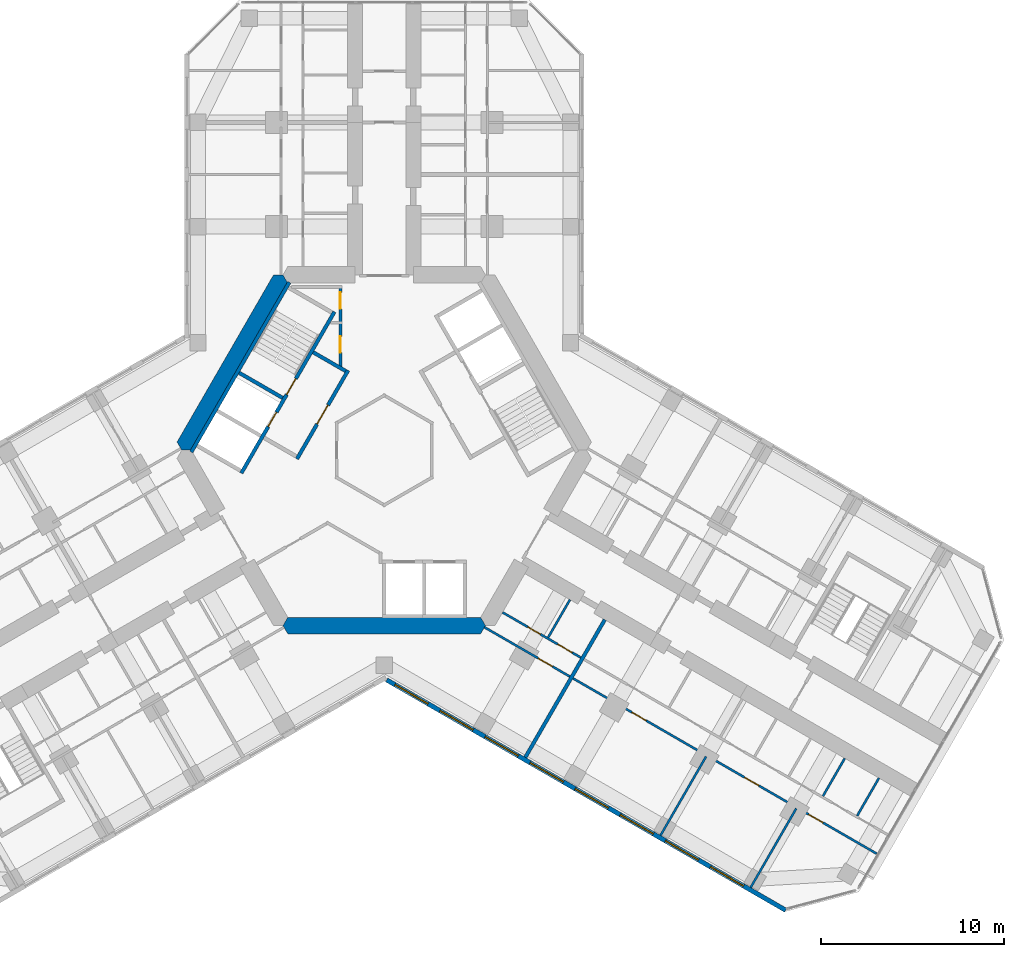
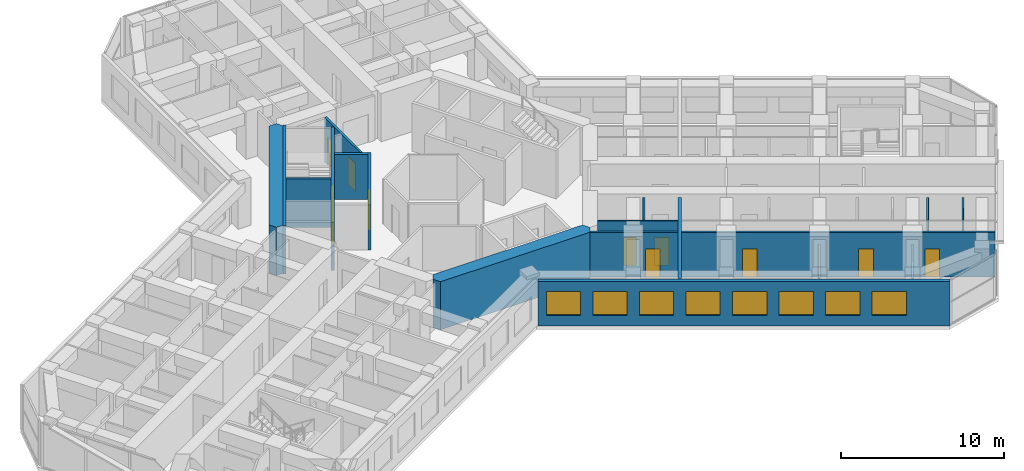
# One storey, part 13 of 19: 18 walls, 11 doors, 8 windows, 19 openings.
"""IFC4 building model written with IfcOpenShell, lengths in metres."""

from ifc_helpers import new_model, si_unit, direction, frame, frame_2d, origin, place, context, subcontext, project, spatial, polyline, rectangle, outline, extrude, material, layer, layer_set, type_object, element, fill, save


model = new_model("IFC4")

# Units and contexts
model_context = context("Model", 3, precision=1e-05, world=origin(), true_north=direction((0.0, 1.0)))
body_context = subcontext(model_context, "Body", "Model", "MODEL_VIEW")
ifc_project = project(units=[si_unit("LENGTHUNIT", "METRE"), si_unit("AREAUNIT", "SQUARE_METRE"), si_unit("VOLUMEUNIT", "CUBIC_METRE"), si_unit("PLANEANGLEUNIT", "RADIAN"), si_unit("MASSUNIT", "GRAM", prefix="KILO")], contexts=[model_context])

# Site, building, storey
site_placement = place(None, origin())
site = spatial("IfcSite", under=ifc_project, at=site_placement, CompositionType="ELEMENT")
building_placement = place(site_placement, origin())
building = spatial("IfcBuilding", under=site, at=building_placement, Name="Kosmar Iwan School Tower", CompositionType="ELEMENT")
storey_placement = place(building_placement, frame((0.0, 0.0, 149.0)))
storey = spatial("IfcBuildingStorey", under=building, at=storey_placement, Name="L37", CompositionType="ELEMENT", Elevation=149.0)

# Wall, openings, doors
ifc_material_1 = material(Name="Gypsum board on steel studs, fire-rated", Category="steel")
ifc_layer_1 = layer(ifc_material_1, 0.14990234375)
ifc_layer_set_1 = layer_set([ifc_layer_1], Name="Core room partition 150")
wall_type_1 = type_object("IfcWallType", Name="Core room partition 150", PredefinedType="PARTITIONING", material=ifc_layer_set_1)
wall_1_placement = place(storey_placement, frame((-2.39990234375, 9.014892578125, 0.0), z_axis=(0.0, 0.0, 1.0), x_axis=(0.0, -1.0, 0.0)))
wall_1 = element("IfcWall", 1, at=wall_1_placement, inside=storey, type_object=wall_type_1, Name="Core room partition L37-CW1", PredefinedType="PARTITIONING", context=body_context, shape_type="SweptSolid", body=[
    extrude(rectangle(XDim=4.484130859375, YDim=0.14990234375, at=frame_2d((2.2421875, 0.0))), origin(), (0.0, 0.0, 1.0), 3.35009765625),
])
opening_1_placement = place(wall_1_placement, frame((0.375, 0.0, 0.0)))
opening_1 = element("IfcOpeningElement", 2, at=opening_1_placement, cuts=wall_1, Name="Opening D14", PredefinedType="OPENING", context=body_context, shape_type="SweptSolid", body=[
    extrude(rectangle(XDim=0.89990234375, YDim=2.10009765625, at=frame_2d((0.449951171875, 1.050048828125))), frame((0.0, 0.0869140625, 0.0), z_axis=(0.0, -1.0, 0.0), x_axis=(1.0, 0.0, 0.0)), (0.0, 0.0, 1.0), 0.173828125),
])
opening_2_placement = place(wall_1_placement, frame((2.77490234375, 0.0, 0.0)))
opening_2 = element("IfcOpeningElement", 3, at=opening_2_placement, cuts=wall_1, Name="Opening D14", PredefinedType="OPENING", context=body_context, shape_type="SweptSolid", body=[
    extrude(rectangle(XDim=0.89990234375, YDim=2.10009765625, at=frame_2d((0.449951171875, 1.050048828125))), frame((0.0, 0.0869140625, 0.0), z_axis=(0.0, -1.0, 0.0), x_axis=(1.0, 0.0, 0.0)), (0.0, 0.0, 1.0), 0.173828125),
])
ifc_material_2 = material(Name="Timber fire door in steel frame", Category="steel")
door_type_1 = type_object("IfcDoorType", Name="Core room door 900x2100", OperationType="SINGLE_SWING_LEFT", PredefinedType="DOOR", material=ifc_material_2)
door_1_placement = place(opening_1_placement, origin())
door_1 = element("IfcDoor", 4, at=door_1_placement, inside=storey, type_object=door_type_1, Name="Electrical riser and switch room door L37 1", OperationType="SINGLE_SWING_LEFT", OverallHeight=2.10009765625, OverallWidth=0.89990234375, PredefinedType="DOOR", context=body_context, shape_type="SweptSolid", body=[
    extrude(rectangle(XDim=0.89990234375, YDim=2.10009765625, at=frame_2d((0.449951171875, 1.050048828125))), frame((0.0, 0.02490234375, 0.0), z_axis=(0.0, -1.0, 0.0), x_axis=(1.0, 0.0, 0.0)), (0.0, 0.0, 1.0), 0.050048828125),
])
fill(opening_1, door_1)
door_2_placement = place(opening_2_placement, origin())
door_2 = element("IfcDoor", 5, at=door_2_placement, inside=storey, type_object=door_type_1, Name="Plumbing and wet riser door L37 2", OperationType="SINGLE_SWING_RIGHT", OverallHeight=2.10009765625, OverallWidth=0.89990234375, PredefinedType="DOOR", context=body_context, shape_type="SweptSolid", body=[
    extrude(rectangle(XDim=0.89990234375, YDim=2.10009765625, at=frame_2d((0.449951171875, 1.050048828125))), frame((0.0, 0.02490234375, 0.0), z_axis=(0.0, -1.0, 0.0), x_axis=(1.0, 0.0, 0.0)), (0.0, 0.0, 1.0), 0.050048828125),
])
fill(opening_2, door_2)

# Walls
ifc_material_3 = material(Name="Concrete C50/60", Category="concrete")
ifc_layer_2 = layer(ifc_material_3, 0.89990234375)
ifc_layer_set_2 = layer_set([ifc_layer_2], Name="Core wall 900")
wall_type_2 = type_object("IfcWallType", Name="Core wall 900", PredefinedType="SHEAR", material=ifc_layer_set_2)
wall_2_placement = place(storey_placement, origin())
element("IfcWall", 6, at=wall_2_placement, inside=storey, type_object=wall_type_2, Name="Core wall F150", PredefinedType="SHEAR", context=body_context, shape_type="SweptSolid", body=[
    extrude(outline(polyline([(-11.085205078125, 0.0), (-10.5654296875, 0.0), (-5.28271484375, 9.14990234375), (-5.54248046875, 9.60009765625), (-6.062255859375, 9.60009765625), (-11.344970703125, 0.449951171875), (-11.085205078125, 0.0)])), origin(), (0.0, 0.0, 1.0), 3.60009765625),
])
wall_3_placement = place(storey_placement, origin())
element("IfcWall", 7, at=wall_3_placement, inside=storey, type_object=wall_type_2, Name="Core wall F270", PredefinedType="SHEAR", context=body_context, shape_type="SweptSolid", body=[
    extrude(outline(polyline([(-5.28271484375, -10.050048828125), (5.28271484375, -10.050048828125), (5.54248046875, -9.60009765625), (5.28271484375, -9.14990234375), (-5.28271484375, -9.14990234375), (-5.54248046875, -9.60009765625), (-5.28271484375, -10.050048828125)])), origin(), (0.0, 0.0, 1.0), 3.60009765625),
])

# Wall, openings, doors
ifc_material_4 = material(Name="Gypsum board on steel studs", Category="steel")
ifc_layer_3 = layer(ifc_material_4, 0.1201171875)
ifc_layer_set_3 = layer_set([ifc_layer_3], Name="Dwelling partition 120")
wall_type_3 = type_object("IfcWallType", Name="Dwelling partition 120", PredefinedType="PARTITIONING", material=ifc_layer_set_3)
wall_4_placement = place(storey_placement, frame((6.478515625, -8.87890625, 0.0), z_axis=(0.0, 0.0, 1.0), x_axis=(0.866040211805, -0.499974350878, 0.0)))
wall_4 = element("IfcWall", 8, at=wall_4_placement, inside=storey, type_object=wall_type_3, Name="Partition L37-CR1-W1", PredefinedType="PARTITIONING", context=body_context, shape_type="SweptSolid", body=[
    extrude(rectangle(XDim=4.949951171875, YDim=0.1201171875, at=frame_2d((2.47509765625, 0.0))), origin(), (0.0, 0.0, 1.0), 3.35009765625),
])
opening_3_placement = place(wall_4_placement, frame((1.60009765625, 0.0, 0.0)))
opening_3 = element("IfcOpeningElement", 9, at=opening_3_placement, cuts=wall_4, Name="Opening D3", PredefinedType="OPENING", context=body_context, shape_type="SweptSolid", body=[
    extrude(rectangle(XDim=0.800048828125, YDim=2.10009765625, at=frame_2d((0.39990234375, 1.050048828125))), frame((0.0, 0.072021484375, 0.0), z_axis=(0.0, -1.0, 0.0), x_axis=(1.0, 0.0, 0.0)), (0.0, 0.0, 1.0), 0.14404296875),
])
opening_4_placement = place(wall_4_placement, frame((3.5, 0.0, 0.0)))
opening_4 = element("IfcOpeningElement", 10, at=opening_4_placement, cuts=wall_4, Name="Opening D2", PredefinedType="OPENING", context=body_context, shape_type="SweptSolid", body=[
    extrude(rectangle(XDim=0.89990234375, YDim=2.10009765625, at=frame_2d((0.449951171875, 1.050048828125))), frame((0.0, 0.072021484375, 0.0), z_axis=(0.0, -1.0, 0.0), x_axis=(1.0, 0.0, 0.0)), (0.0, 0.0, 1.0), 0.14404296875),
])
ifc_material_5 = material(Name="Timber door in timber frame", Category="wood")
door_type_2 = type_object("IfcDoorType", Name="Internal door 900x2100", OperationType="SINGLE_SWING_LEFT", PredefinedType="DOOR", material=ifc_material_5)
door_3_placement = place(opening_4_placement, origin())
door_3 = element("IfcDoor", 11, at=door_3_placement, inside=storey, type_object=door_type_2, Name="Entrance hall door L37-CR1-S2", OperationType="SINGLE_SWING_RIGHT", OverallHeight=2.10009765625, OverallWidth=0.89990234375, PredefinedType="DOOR", context=body_context, shape_type="SweptSolid", body=[
    extrude(rectangle(XDim=0.89990234375, YDim=2.10009765625, at=frame_2d((0.449951171875, 1.050048828125))), frame((0.0, 0.02490234375, 0.0), z_axis=(0.0, -1.0, 0.0), x_axis=(1.0, 0.0, 0.0)), (0.0, 0.0, 1.0), 0.050048828125),
])
fill(opening_4, door_3)
ifc_material_6 = material(Name="Timber door in timber frame", Category="wood")
door_type_3 = type_object("IfcDoorType", Name="Sanitary room door 800x2100", OperationType="SINGLE_SWING_LEFT", PredefinedType="DOOR", material=ifc_material_6)
door_4_placement = place(opening_3_placement, origin())
door_4 = element("IfcDoor", 12, at=door_4_placement, inside=storey, type_object=door_type_3, Name="Bathroom door L37-CR1-S1", OperationType="SINGLE_SWING_RIGHT", OverallHeight=2.10009765625, OverallWidth=0.800048828125, PredefinedType="DOOR", context=body_context, shape_type="SweptSolid", body=[
    extrude(rectangle(XDim=0.800048828125, YDim=2.10009765625, at=frame_2d((0.39990234375, 1.050048828125))), frame((0.0, 0.02490234375, 0.0), z_axis=(0.0, -1.0, 0.0), x_axis=(1.0, 0.0, 0.0)), (0.0, 0.0, 1.0), 0.050048828125),
])
fill(opening_3, door_4)

# Wall, opening, door
wall_5_placement = place(storey_placement, frame((5.48876953125, -9.693115234375, 0.0), z_axis=(0.0, 0.0, 1.0), x_axis=(0.866028230842, -0.499995103361, 0.0)))
wall_5 = element("IfcWall", 13, at=wall_5_placement, inside=storey, type_object=wall_type_3, Name="Partition L37-CR1-W2", PredefinedType="PARTITIONING", context=body_context, shape_type="SweptSolid", body=[
    extrude(rectangle(XDim=5.39990234375, YDim=0.1201171875, at=frame_2d((2.699951171875, 0.0))), origin(), (0.0, 0.0, 1.0), 3.35009765625),
])
opening_5_placement = place(wall_5_placement, frame((3.39990234375, 0.0, 0.0)))
opening_5 = element("IfcOpeningElement", 14, at=opening_5_placement, cuts=wall_5, Name="Opening D2", PredefinedType="OPENING", context=body_context, shape_type="SweptSolid", body=[
    extrude(rectangle(XDim=0.89990234375, YDim=2.10009765625, at=frame_2d((0.449951171875, 1.050048828125))), frame((0.0, 0.072021484375, 0.0), z_axis=(0.0, -1.0, 0.0), x_axis=(1.0, 0.0, 0.0)), (0.0, 0.0, 1.0), 0.14404296875),
])
door_5_placement = place(opening_5_placement, origin())
door_5 = element("IfcDoor", 15, at=door_5_placement, inside=storey, type_object=door_type_2, Name="Studio living room and kitchen door L37-CR1-F1", OperationType="SINGLE_SWING_RIGHT", OverallHeight=2.10009765625, OverallWidth=0.89990234375, PredefinedType="DOOR", context=body_context, shape_type="SweptSolid", body=[
    extrude(rectangle(XDim=0.89990234375, YDim=2.10009765625, at=frame_2d((0.449951171875, 1.050048828125))), frame((0.0, 0.02490234375, 0.0), z_axis=(0.0, -1.0, 0.0), x_axis=(1.0, 0.0, 0.0)), (0.0, 0.0, 1.0), 0.050048828125),
])
fill(opening_5, door_5)

# Wall
wall_6_placement = place(storey_placement, frame((10.171630859375, -8.18212890625, 0.0), z_axis=(0.0, 0.0, 1.0), x_axis=(-0.499940577336, -0.866059708757, 0.0)))
element("IfcWall", 16, at=wall_6_placement, inside=storey, type_object=wall_type_3, Name="Partition L37-CR1-Y1", PredefinedType="PARTITIONING", context=body_context, shape_type="SweptSolid", body=[
    extrude(rectangle(XDim=2.389892578125, YDim=0.1201171875, at=frame_2d((1.19482421875, 0.0))), origin(), (0.0, 0.0, 1.0), 3.35009765625),
])

# Wall, openings, doors
wall_7_placement = place(storey_placement, frame((10.338623046875, -12.492919921875, 0.0), z_axis=(0.0, 0.0, 1.0), x_axis=(0.866021011428, -0.500007607708, 0.0)))
wall_7 = element("IfcWall", 17, at=wall_7_placement, inside=storey, type_object=wall_type_3, Name="Partition L37-CR2-W2", PredefinedType="PARTITIONING", context=body_context, shape_type="SweptSolid", body=[
    extrude(rectangle(XDim=19.195068359375, YDim=0.1201171875, at=frame_2d((9.59765625, 0.0))), origin(), (0.0, 0.0, 1.0), 3.35009765625),
])
opening_6_placement = place(wall_7_placement, frame((3.72509765625, 0.0, 0.0)))
opening_6 = element("IfcOpeningElement", 18, at=opening_6_placement, cuts=wall_7, Name="Opening D2", PredefinedType="OPENING", context=body_context, shape_type="SweptSolid", body=[
    extrude(rectangle(XDim=0.89990234375, YDim=2.10009765625, at=frame_2d((0.449951171875, 1.050048828125))), frame((0.0, 0.072021484375, 0.0), z_axis=(0.0, -1.0, 0.0), x_axis=(1.0, 0.0, 0.0)), (0.0, 0.0, 1.0), 0.14404296875),
])
opening_7_placement = place(wall_7_placement, frame((10.85009765625, 0.0, 0.0)))
opening_7 = element("IfcOpeningElement", 19, at=opening_7_placement, cuts=wall_7, Name="Opening D2", PredefinedType="OPENING", context=body_context, shape_type="SweptSolid", body=[
    extrude(rectangle(XDim=0.89990234375, YDim=2.10009765625, at=frame_2d((0.449951171875, 1.050048828125))), frame((0.0, 0.072021484375, 0.0), z_axis=(0.0, -1.0, 0.0), x_axis=(1.0, 0.0, 0.0)), (0.0, 0.0, 1.0), 0.14404296875),
])
opening_8_placement = place(wall_7_placement, frame((14.89990234375, 0.0, 0.0)))
opening_8 = element("IfcOpeningElement", 20, at=opening_8_placement, cuts=wall_7, Name="Opening D2", PredefinedType="OPENING", context=body_context, shape_type="SweptSolid", body=[
    extrude(rectangle(XDim=0.89990234375, YDim=2.10009765625, at=frame_2d((0.449951171875, 1.050048828125))), frame((0.0, 0.072021484375, 0.0), z_axis=(0.0, -1.0, 0.0), x_axis=(1.0, 0.0, 0.0)), (0.0, 0.0, 1.0), 0.14404296875),
])
door_6_placement = place(opening_6_placement, origin())
door_6 = element("IfcDoor", 21, at=door_6_placement, inside=storey, type_object=door_type_2, Name="Living room door L37-CR2-F1", OperationType="SINGLE_SWING_LEFT", OverallHeight=2.10009765625, OverallWidth=0.89990234375, PredefinedType="DOOR", context=body_context, shape_type="SweptSolid", body=[
    extrude(rectangle(XDim=0.89990234375, YDim=2.10009765625, at=frame_2d((0.449951171875, 1.050048828125))), frame((0.0, 0.02490234375, 0.0), z_axis=(0.0, -1.0, 0.0), x_axis=(1.0, 0.0, 0.0)), (0.0, 0.0, 1.0), 0.050048828125),
])
fill(opening_6, door_6)
door_7_placement = place(opening_7_placement, origin())
door_7 = element("IfcDoor", 22, at=door_7_placement, inside=storey, type_object=door_type_2, Name="Bedroom 1 door L37-CR2-F2", OperationType="SINGLE_SWING_RIGHT", OverallHeight=2.10009765625, OverallWidth=0.89990234375, PredefinedType="DOOR", context=body_context, shape_type="SweptSolid", body=[
    extrude(rectangle(XDim=0.89990234375, YDim=2.10009765625, at=frame_2d((0.449951171875, 1.050048828125))), frame((0.0, 0.02490234375, 0.0), z_axis=(0.0, -1.0, 0.0), x_axis=(1.0, 0.0, 0.0)), (0.0, 0.0, 1.0), 0.050048828125),
])
fill(opening_7, door_7)
door_8_placement = place(opening_8_placement, origin())
door_8 = element("IfcDoor", 23, at=door_8_placement, inside=storey, type_object=door_type_2, Name="Kitchen and dining room door L37-CR2-F3", OperationType="SINGLE_SWING_RIGHT", OverallHeight=2.10009765625, OverallWidth=0.89990234375, PredefinedType="DOOR", context=body_context, shape_type="SweptSolid", body=[
    extrude(rectangle(XDim=0.89990234375, YDim=2.10009765625, at=frame_2d((0.449951171875, 1.050048828125))), frame((0.0, 0.02490234375, 0.0), z_axis=(0.0, -1.0, 0.0), x_axis=(1.0, 0.0, 0.0)), (0.0, 0.0, 1.0), 0.050048828125),
])
fill(opening_8, door_8)

# Walls
wall_8_placement = place(storey_placement, frame((17.62646484375, -16.77001953125, 0.0), z_axis=(0.0, 0.0, 1.0), x_axis=(-0.499975153383, -0.86603974851, 0.0)))
element("IfcWall", 24, at=wall_8_placement, inside=storey, type_object=wall_type_3, Name="Partition L37-CR2-X1", PredefinedType="PARTITIONING", context=body_context, shape_type="SweptSolid", body=[
    extrude(rectangle(XDim=4.989990234375, YDim=0.1201171875, at=frame_2d((2.4951171875, 0.0))), origin(), (0.0, 0.0, 1.0), 2.449951171875),
])
wall_9_placement = place(storey_placement, frame((22.562744140625, -19.6201171875, 0.0), z_axis=(0.0, 0.0, 1.0), x_axis=(-0.499996339024, -0.86602751744, 0.0)))
element("IfcWall", 25, at=wall_9_placement, inside=storey, type_object=wall_type_3, Name="Partition L37-CR2-X2", PredefinedType="PARTITIONING", context=body_context, shape_type="SweptSolid", body=[
    extrude(rectangle(XDim=4.98974609375, YDim=0.1201171875, at=frame_2d((2.494873046875, 0.0))), origin(), (0.0, 0.0, 1.0), 2.449951171875),
])
for number, where, z_axis, x_axis, name in (
    (26, (25.220703125, -16.87060546875, 0.0), (0.0, 0.0, 1.0), (-0.500017192868, -0.86601547725, 0.0), "Partition L37-CR2-Y5"),
    (27, (27.092529296875, -17.951171875, 0.0), (0.0, 0.0, 1.0), (-0.500017192868, -0.86601547725, 0.0), "Partition L37-CR2-Y6"),
):
    element("IfcWall", number, at=place(storey_placement, frame(where, z_axis=z_axis, x_axis=x_axis)), inside=storey, type_object=wall_type_3, Name=name, PredefinedType="PARTITIONING", context=body_context, shape_type="SweptSolid", body=[
        extrude(rectangle(XDim=2.39013671875, YDim=0.1201171875, at=frame_2d((1.195068359375, 0.0))), origin(), (0.0, 0.0, 1.0), 3.35009765625),
    ])

# Wall, openings, windows
ifc_material_7 = material(Name="Black aluminium rainscreen on insulated framing", Category="aluminium")
ifc_layer_4 = layer(ifc_material_7, 0.25)
ifc_layer_set_4 = layer_set([ifc_layer_4], Name="External wall rainscreen 250")
wall_type_4 = type_object("IfcWallType", Name="External wall rainscreen 250", PredefinedType="SOLIDWALL", material=ifc_layer_set_4)
wall_10_placement = place(storey_placement, frame((0.137939453125, -12.5791015625, 0.0), z_axis=(0.0, 0.0, 1.0), x_axis=(0.866023775649, -0.500002820003, 0.0)))
wall_10 = element("IfcWall", 28, at=wall_10_placement, inside=storey, type_object=wall_type_4, Name="External wall CR L37", PredefinedType="SOLIDWALL", context=body_context, shape_type="SweptSolid", body=[
    extrude(rectangle(XDim=25.226318359375, YDim=0.25, at=frame_2d((12.61328125, 0.0))), origin(), (0.0, 0.0, 1.0), 3.35009765625),
])
opening_9_placement = place(wall_10_placement, frame((0.51611328125, 0.0, 0.800048828125)))
opening_9 = element("IfcOpeningElement", 29, at=opening_9_placement, cuts=wall_10, Name="Opening W4", PredefinedType="OPENING", context=body_context, shape_type="SweptSolid", body=[
    extrude(rectangle(XDim=2.10009765625, YDim=1.800048828125, at=frame_2d((1.050048828125, 0.89990234375))), frame((0.0, 0.136962890625, 0.0), z_axis=(0.0, -1.0, 0.0), x_axis=(1.0, 0.0, 0.0)), (0.0, 0.0, 1.0), 0.27392578125),
])
opening_10_placement = place(wall_10_placement, frame((3.365966796875, 0.0, 0.800048828125)))
opening_10 = element("IfcOpeningElement", 30, at=opening_10_placement, cuts=wall_10, Name="Opening W4", PredefinedType="OPENING", context=body_context, shape_type="SweptSolid", body=[
    extrude(rectangle(XDim=2.10009765625, YDim=1.800048828125, at=frame_2d((1.050048828125, 0.89990234375))), frame((0.0, 0.136962890625, 0.0), z_axis=(0.0, -1.0, 0.0), x_axis=(1.0, 0.0, 0.0)), (0.0, 0.0, 1.0), 0.27392578125),
])
opening_11_placement = place(wall_10_placement, frame((6.216064453125, 0.0, 0.800048828125)))
opening_11 = element("IfcOpeningElement", 31, at=opening_11_placement, cuts=wall_10, Name="Opening W4", PredefinedType="OPENING", context=body_context, shape_type="SweptSolid", body=[
    extrude(rectangle(XDim=2.10009765625, YDim=1.800048828125, at=frame_2d((1.050048828125, 0.89990234375))), frame((0.0, 0.136962890625, 0.0), z_axis=(0.0, -1.0, 0.0), x_axis=(1.0, 0.0, 0.0)), (0.0, 0.0, 1.0), 0.27392578125),
])
opening_12_placement = place(wall_10_placement, frame((9.06591796875, 0.0, 0.800048828125)))
opening_12 = element("IfcOpeningElement", 32, at=opening_12_placement, cuts=wall_10, Name="Opening W4", PredefinedType="OPENING", context=body_context, shape_type="SweptSolid", body=[
    extrude(rectangle(XDim=2.10009765625, YDim=1.800048828125, at=frame_2d((1.050048828125, 0.89990234375))), frame((0.0, 0.136962890625, 0.0), z_axis=(0.0, -1.0, 0.0), x_axis=(1.0, 0.0, 0.0)), (0.0, 0.0, 1.0), 0.27392578125),
])
opening_13_placement = place(wall_10_placement, frame((11.916015625, 0.0, 0.800048828125)))
opening_13 = element("IfcOpeningElement", 33, at=opening_13_placement, cuts=wall_10, Name="Opening W4", PredefinedType="OPENING", context=body_context, shape_type="SweptSolid", body=[
    extrude(rectangle(XDim=2.10009765625, YDim=1.800048828125, at=frame_2d((1.050048828125, 0.89990234375))), frame((0.0, 0.136962890625, 0.0), z_axis=(0.0, -1.0, 0.0), x_axis=(1.0, 0.0, 0.0)), (0.0, 0.0, 1.0), 0.27392578125),
])
opening_14_placement = place(wall_10_placement, frame((14.76611328125, 0.0, 0.800048828125)))
opening_14 = element("IfcOpeningElement", 34, at=opening_14_placement, cuts=wall_10, Name="Opening W4", PredefinedType="OPENING", context=body_context, shape_type="SweptSolid", body=[
    extrude(rectangle(XDim=2.10009765625, YDim=1.800048828125, at=frame_2d((1.050048828125, 0.89990234375))), frame((0.0, 0.136962890625, 0.0), z_axis=(0.0, -1.0, 0.0), x_axis=(1.0, 0.0, 0.0)), (0.0, 0.0, 1.0), 0.27392578125),
])
opening_15_placement = place(wall_10_placement, frame((17.615966796875, 0.0, 0.800048828125)))
opening_15 = element("IfcOpeningElement", 35, at=opening_15_placement, cuts=wall_10, Name="Opening W4", PredefinedType="OPENING", context=body_context, shape_type="SweptSolid", body=[
    extrude(rectangle(XDim=2.10009765625, YDim=1.800048828125, at=frame_2d((1.050048828125, 0.89990234375))), frame((0.0, 0.136962890625, 0.0), z_axis=(0.0, -1.0, 0.0), x_axis=(1.0, 0.0, 0.0)), (0.0, 0.0, 1.0), 0.27392578125),
])
opening_16_placement = place(wall_10_placement, frame((20.466064453125, 0.0, 0.800048828125)))
opening_16 = element("IfcOpeningElement", 36, at=opening_16_placement, cuts=wall_10, Name="Opening W4", PredefinedType="OPENING", context=body_context, shape_type="SweptSolid", body=[
    extrude(rectangle(XDim=2.10009765625, YDim=1.800048828125, at=frame_2d((1.050048828125, 0.89990234375))), frame((0.0, 0.136962890625, 0.0), z_axis=(0.0, -1.0, 0.0), x_axis=(1.0, 0.0, 0.0)), (0.0, 0.0, 1.0), 0.27392578125),
])
ifc_material_8 = material(Name="Black aluminium frame with dark triple glazing", Category="aluminium")
window_type = type_object("IfcWindowType", Name="Window 2100x1800", PartitioningType="SINGLE_PANEL", PredefinedType="WINDOW", material=ifc_material_8)
window_1_placement = place(opening_9_placement, origin())
window_1 = element("IfcWindow", 37, at=window_1_placement, inside=storey, type_object=window_type, Name="Window CR L37 -1", OverallHeight=1.800048828125, OverallWidth=2.10009765625, PartitioningType="SINGLE_PANEL", PredefinedType="WINDOW", context=body_context, shape_type="SweptSolid", body=[
    extrude(rectangle(XDim=2.10009765625, YDim=1.800048828125, at=frame_2d((1.050048828125, 0.89990234375))), frame((0.0, 0.030029296875, 0.0), z_axis=(0.0, -1.0, 0.0), x_axis=(1.0, 0.0, 0.0)), (0.0, 0.0, 1.0), 0.06005859375),
])
fill(opening_9, window_1)
window_2_placement = place(opening_10_placement, origin())
window_2 = element("IfcWindow", 38, at=window_2_placement, inside=storey, type_object=window_type, Name="Window CR L37 0", OverallHeight=1.800048828125, OverallWidth=2.10009765625, PartitioningType="SINGLE_PANEL", PredefinedType="WINDOW", context=body_context, shape_type="SweptSolid", body=[
    extrude(rectangle(XDim=2.10009765625, YDim=1.800048828125, at=frame_2d((1.050048828125, 0.89990234375))), frame((0.0, 0.030029296875, 0.0), z_axis=(0.0, -1.0, 0.0), x_axis=(1.0, 0.0, 0.0)), (0.0, 0.0, 1.0), 0.06005859375),
])
fill(opening_10, window_2)
window_3_placement = place(opening_11_placement, origin())
window_3 = element("IfcWindow", 39, at=window_3_placement, inside=storey, type_object=window_type, Name="Window CR L37 1", OverallHeight=1.800048828125, OverallWidth=2.10009765625, PartitioningType="SINGLE_PANEL", PredefinedType="WINDOW", context=body_context, shape_type="SweptSolid", body=[
    extrude(rectangle(XDim=2.10009765625, YDim=1.800048828125, at=frame_2d((1.050048828125, 0.89990234375))), frame((0.0, 0.030029296875, 0.0), z_axis=(0.0, -1.0, 0.0), x_axis=(1.0, 0.0, 0.0)), (0.0, 0.0, 1.0), 0.06005859375),
])
fill(opening_11, window_3)
window_4_placement = place(opening_12_placement, origin())
window_4 = element("IfcWindow", 40, at=window_4_placement, inside=storey, type_object=window_type, Name="Window CR L37 2", OverallHeight=1.800048828125, OverallWidth=2.10009765625, PartitioningType="SINGLE_PANEL", PredefinedType="WINDOW", context=body_context, shape_type="SweptSolid", body=[
    extrude(rectangle(XDim=2.10009765625, YDim=1.800048828125, at=frame_2d((1.050048828125, 0.89990234375))), frame((0.0, 0.030029296875, 0.0), z_axis=(0.0, -1.0, 0.0), x_axis=(1.0, 0.0, 0.0)), (0.0, 0.0, 1.0), 0.06005859375),
])
fill(opening_12, window_4)
window_5_placement = place(opening_13_placement, origin())
window_5 = element("IfcWindow", 41, at=window_5_placement, inside=storey, type_object=window_type, Name="Window CR L37 3", OverallHeight=1.800048828125, OverallWidth=2.10009765625, PartitioningType="SINGLE_PANEL", PredefinedType="WINDOW", context=body_context, shape_type="SweptSolid", body=[
    extrude(rectangle(XDim=2.10009765625, YDim=1.800048828125, at=frame_2d((1.050048828125, 0.89990234375))), frame((0.0, 0.030029296875, 0.0), z_axis=(0.0, -1.0, 0.0), x_axis=(1.0, 0.0, 0.0)), (0.0, 0.0, 1.0), 0.06005859375),
])
fill(opening_13, window_5)
window_6_placement = place(opening_14_placement, origin())
window_6 = element("IfcWindow", 42, at=window_6_placement, inside=storey, type_object=window_type, Name="Window CR L37 4", OverallHeight=1.800048828125, OverallWidth=2.10009765625, PartitioningType="SINGLE_PANEL", PredefinedType="WINDOW", context=body_context, shape_type="SweptSolid", body=[
    extrude(rectangle(XDim=2.10009765625, YDim=1.800048828125, at=frame_2d((1.050048828125, 0.89990234375))), frame((0.0, 0.030029296875, 0.0), z_axis=(0.0, -1.0, 0.0), x_axis=(1.0, 0.0, 0.0)), (0.0, 0.0, 1.0), 0.06005859375),
])
fill(opening_14, window_6)
window_7_placement = place(opening_15_placement, origin())
window_7 = element("IfcWindow", 43, at=window_7_placement, inside=storey, type_object=window_type, Name="Window CR L37 5", OverallHeight=1.800048828125, OverallWidth=2.10009765625, PartitioningType="SINGLE_PANEL", PredefinedType="WINDOW", context=body_context, shape_type="SweptSolid", body=[
    extrude(rectangle(XDim=2.10009765625, YDim=1.800048828125, at=frame_2d((1.050048828125, 0.89990234375))), frame((0.0, 0.030029296875, 0.0), z_axis=(0.0, -1.0, 0.0), x_axis=(1.0, 0.0, 0.0)), (0.0, 0.0, 1.0), 0.06005859375),
])
fill(opening_15, window_7)
window_8_placement = place(opening_16_placement, origin())
window_8 = element("IfcWindow", 44, at=window_8_placement, inside=storey, type_object=window_type, Name="Window CR L37 6", OverallHeight=1.800048828125, OverallWidth=2.10009765625, PartitioningType="SINGLE_PANEL", PredefinedType="WINDOW", context=body_context, shape_type="SweptSolid", body=[
    extrude(rectangle(XDim=2.10009765625, YDim=1.800048828125, at=frame_2d((1.050048828125, 0.89990234375))), frame((0.0, 0.030029296875, 0.0), z_axis=(0.0, -1.0, 0.0), x_axis=(1.0, 0.0, 0.0)), (0.0, 0.0, 1.0), 0.06005859375),
])
fill(opening_16, window_8)

# Wall, opening, door
ifc_material_9 = material(Name="Concrete block masonry", Category="masonry")
ifc_layer_5 = layer(ifc_material_9, 0.199951171875)
ifc_layer_set_5 = layer_set([ifc_layer_5], Name="Fire lobby wall 200")
wall_type_5 = type_object("IfcWallType", Name="Fire lobby wall 200", PredefinedType="PARTITIONING", material=ifc_layer_set_5)
wall_11_placement = place(storey_placement, frame((-1.9775390625, 4.374755859375, 0.0), z_axis=(0.0, 0.0, 1.0), x_axis=(-0.500016814911, -0.866015695474, 0.0)))
wall_11 = element("IfcWall", 45, at=wall_11_placement, inside=storey, type_object=wall_type_5, Name="Firefighting lobby wall ST2", PredefinedType="PARTITIONING", context=body_context, shape_type="SweptSolid", body=[
    extrude(rectangle(XDim=5.599853515625, YDim=0.199951171875, at=frame_2d((2.7998046875, 0.0))), origin(), (0.0, 0.0, 1.0), 3.35009765625),
])
opening_17_placement = place(wall_11_placement, frame((2.199951171875, 0.0, 0.0)))
opening_17 = element("IfcOpeningElement", 46, at=opening_17_placement, cuts=wall_11, Name="Opening D7", PredefinedType="OPENING", context=body_context, shape_type="SweptSolid", body=[
    extrude(rectangle(XDim=1.199951171875, YDim=2.10009765625, at=frame_2d((0.60009765625, 1.050048828125))), frame((0.0, 0.112060546875, 0.0), z_axis=(0.0, -1.0, 0.0), x_axis=(1.0, 0.0, 0.0)), (0.0, 0.0, 1.0), 0.223876953125),
])
ifc_material_10 = material(Name="Steel fire door", Category="steel")
door_type_4 = type_object("IfcDoorType", Name="Fire lobby door 1200x2100", OperationType="SINGLE_SWING_LEFT", PredefinedType="DOOR", material=ifc_material_10)
door_9_placement = place(opening_17_placement, frame((1.199951171875, 0.0, 0.0), z_axis=(0.0, 0.0, 1.0), x_axis=(-1.0, 0.0, 0.0)))
door_9 = element("IfcDoor", 47, at=door_9_placement, inside=storey, type_object=door_type_4, Name="Firefighting lobby door ST2 L37", OperationType="SINGLE_SWING_RIGHT", OverallHeight=2.10009765625, OverallWidth=1.199951171875, PredefinedType="DOOR", context=body_context, shape_type="SweptSolid", body=[
    extrude(rectangle(XDim=1.199951171875, YDim=2.10009765625, at=frame_2d((0.60009765625, 1.050048828125))), frame((0.0, 0.02490234375, 0.0), z_axis=(0.0, -1.0, 0.0), x_axis=(1.0, 0.0, 0.0)), (0.0, 0.0, 1.0), 0.050048828125),
])
fill(opening_17, door_9)

# Wall
wall_12_placement = place(storey_placement, frame((-2.114013671875, 4.33837890625, 0.0), z_axis=(0.0, 0.0, 1.0), x_axis=(-0.866050731258, 0.499956128963, 0.0)))
element("IfcWall", 48, at=wall_12_placement, inside=storey, type_object=wall_type_5, Name="Firefighting lobby wall ST2", PredefinedType="PARTITIONING", context=body_context, shape_type="SweptSolid", body=[
    extrude(rectangle(XDim=2.050048828125, YDim=0.199951171875, at=frame_2d((1.02490234375, 0.0))), origin(), (0.0, 0.0, 1.0), 3.35009765625),
])

# Wall, openings, doors
ifc_material_11 = material(Name="Concrete C50/60", Category="concrete")
ifc_layer_6 = layer(ifc_material_11, 0.199951171875)
ifc_layer_set_6 = layer_set([ifc_layer_6], Name="Lift shaft wall 200")
wall_type_6 = type_object("IfcWallType", Name="Lift shaft wall 200", PredefinedType="SHEAR", material=ifc_layer_set_6)
wall_13_placement = place(storey_placement, frame((-2.72607421875, 7.578369140625, 0.0), z_axis=(0.0, 0.0, 1.0), x_axis=(-0.500005610874, -0.86602216432, 0.0)))
wall_13 = element("IfcWall", 49, at=wall_13_placement, inside=storey, type_object=wall_type_6, Name="Lift and stair front wall AB", PredefinedType="SHEAR", context=body_context, shape_type="SweptSolid", body=[
    extrude(rectangle(XDim=10.2001953125, YDim=0.199951171875, at=frame_2d((5.10009765625, 0.0))), origin(), (0.0, 0.0, 1.0), 3.60009765625),
])
opening_18_placement = place(wall_13_placement, frame((6.35009765625, 0.0, 0.0)))
opening_18 = element("IfcOpeningElement", 50, at=opening_18_placement, cuts=wall_13, Name="Opening LD2", PredefinedType="OPENING", context=body_context, shape_type="SweptSolid", body=[
    extrude(rectangle(XDim=0.89990234375, YDim=2.10009765625, at=frame_2d((0.449951171875, 1.050048828125))), frame((0.0, 0.112060546875, 0.0), z_axis=(0.0, -1.0, 0.0), x_axis=(1.0, 0.0, 0.0)), (0.0, 0.0, 1.0), 0.223876953125),
])
opening_19_placement = place(wall_13_placement, frame((4.22998046875, 0.0, 0.0)))
opening_19 = element("IfcOpeningElement", 51, at=opening_19_placement, cuts=wall_13, Name="Opening D6", PredefinedType="OPENING", context=body_context, shape_type="SweptSolid", body=[
    extrude(rectangle(XDim=1.0, YDim=2.10009765625, at=frame_2d((0.5, 1.050048828125))), frame((0.0, 0.112060546875, 0.0), z_axis=(0.0, -1.0, 0.0), x_axis=(1.0, 0.0, 0.0)), (0.0, 0.0, 1.0), 0.223876953125),
])
ifc_material_12 = material(Name="Stainless steel sliding lift door", Category="steel")
door_type_5 = type_object("IfcDoorType", Name="Firefighting lift landing door 900x2100", OperationType="SLIDING_TO_LEFT", PredefinedType="DOOR", material=ifc_material_12)
door_10_placement = place(opening_18_placement, origin())
door_10 = element("IfcDoor", 52, at=door_10_placement, inside=storey, type_object=door_type_5, Name="Lift FF2 landing door L37", OperationType="SLIDING_TO_LEFT", OverallHeight=2.10009765625, OverallWidth=0.89990234375, PredefinedType="DOOR", context=body_context, shape_type="SweptSolid", body=[
    extrude(rectangle(XDim=0.89990234375, YDim=2.10009765625, at=frame_2d((0.449951171875, 1.050048828125))), frame((0.0, 0.02490234375, 0.0), z_axis=(0.0, -1.0, 0.0), x_axis=(1.0, 0.0, 0.0)), (0.0, 0.0, 1.0), 0.050048828125),
])
fill(opening_18, door_10)
ifc_material_13 = material(Name="Steel fire door", Category="steel")
door_type_6 = type_object("IfcDoorType", Name="Stair door 1000x2100", OperationType="SINGLE_SWING_LEFT", PredefinedType="DOOR", material=ifc_material_13)
door_11_placement = place(opening_19_placement, origin())
door_11 = element("IfcDoor", 53, at=door_11_placement, inside=storey, type_object=door_type_6, Name="Stair ST2 door L37", OperationType="SINGLE_SWING_LEFT", OverallHeight=2.10009765625, OverallWidth=1.0, PredefinedType="DOOR", context=body_context, shape_type="SweptSolid", body=[
    extrude(rectangle(XDim=1.0, YDim=2.10009765625, at=frame_2d((0.5, 1.050048828125))), frame((0.0, 0.02490234375, 0.0), z_axis=(0.0, -1.0, 0.0), x_axis=(1.0, 0.0, 0.0)), (0.0, 0.0, 1.0), 0.050048828125),
])
fill(opening_19, door_11)

# Walls
wall_14_placement = place(storey_placement, frame((-5.196044921875, 9.199951171875, 0.0), z_axis=(0.0, 0.0, 1.0), x_axis=(-0.499999935134, -0.866025441235, 0.0)))
element("IfcWall", 54, at=wall_14_placement, inside=storey, type_object=wall_type_6, Name="Lift and stair back wall AB", PredefinedType="SHEAR", context=body_context, shape_type="SweptSolid", body=[
    extrude(rectangle(XDim=10.73876953125, YDim=0.199951171875, at=frame_2d((5.369384765625, 0.0))), origin(), (0.0, 0.0, 1.0), 3.60009765625),
])
ifc_material_14 = material(Name="Concrete block masonry", Category="masonry")
ifc_layer_7 = layer(ifc_material_14, 0.199951171875)
ifc_layer_set_7 = layer_set([ifc_layer_7], Name="Party wall 200")
wall_type_7 = type_object("IfcWallType", Name="Party wall 200", PredefinedType="PARTITIONING", material=ifc_layer_set_7)
wall_15_placement = place(storey_placement, frame((12.076904296875, -9.281982421875, 0.0), z_axis=(0.0, 0.0, 1.0), x_axis=(-0.499987231761, -0.866032775405, 0.0)))
element("IfcWall", 55, at=wall_15_placement, inside=storey, type_object=wall_type_7, Name="Partition L37-CR2-PW", PredefinedType="PARTITIONING", context=body_context, shape_type="SweptSolid", body=[
    extrude(rectangle(XDim=8.699951171875, YDim=0.199951171875, at=frame_2d((4.35009765625, 0.0))), origin(), (0.0, 0.0, 1.0), 3.35009765625),
])
ifc_material_15 = material(Name="Concrete C50/60", Category="concrete")
ifc_layer_8 = layer(ifc_material_15, 0.199951171875)
ifc_layer_set_8 = layer_set([ifc_layer_8], Name="Stair enclosure wall 200")
wall_type_8 = type_object("IfcWallType", Name="Stair enclosure wall 200", PredefinedType="SHEAR", material=ifc_layer_set_8)
wall_16_placement = place(storey_placement, frame((-5.562744140625, 2.865234375, 0.0), z_axis=(0.0, 0.0, 1.0), x_axis=(-0.866027397988, 0.499996545922, 0.0)))
element("IfcWall", 56, at=wall_16_placement, inside=storey, type_object=wall_type_8, Name="Stair ST2 wall", PredefinedType="SHEAR", context=body_context, shape_type="SweptSolid", body=[
    extrude(rectangle(XDim=2.75, YDim=0.199951171875, at=frame_2d((1.375, 0.0))), origin(), (0.0, 0.0, 1.0), 3.60009765625),
])

save(model, "model.ifc")
